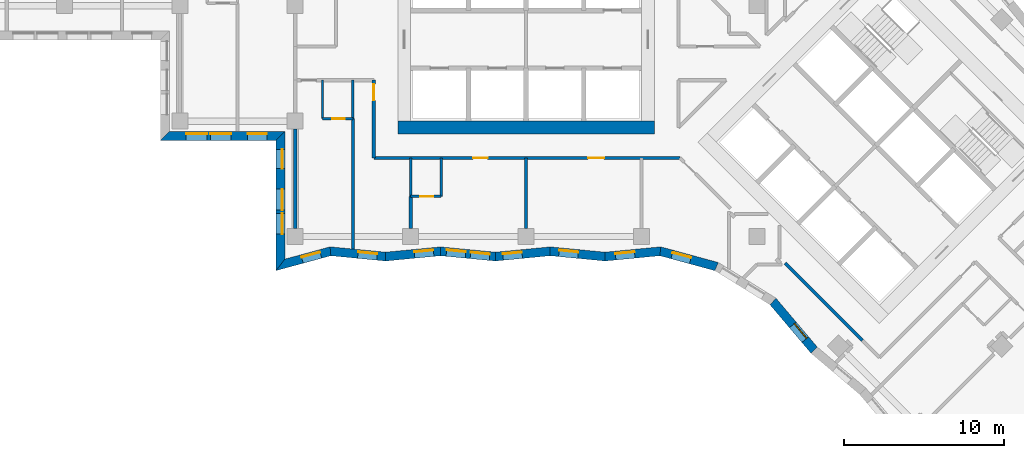
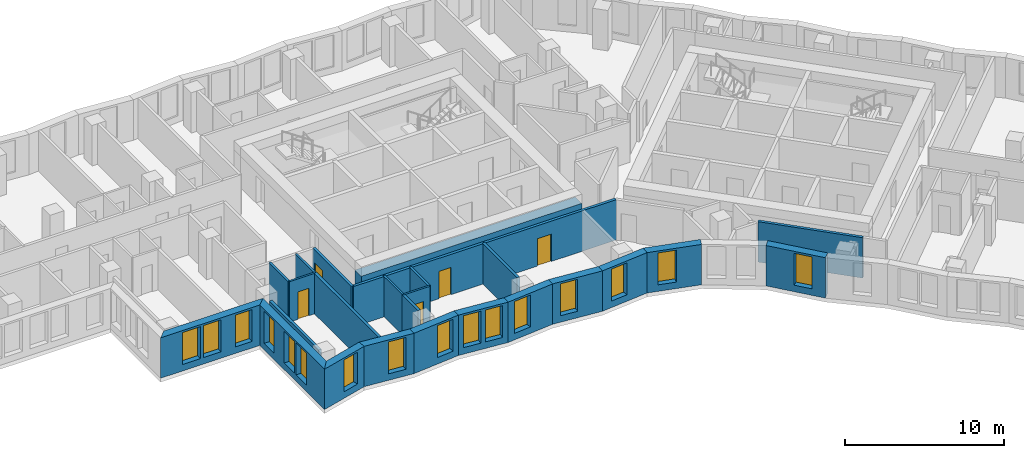
# One storey, part 2 of 12: 25 walls, 16 windows, 5 doors, 21 openings.
"""IFC4 building model written with IfcOpenShell, lengths in metres."""

from ifc_helpers import new_model, si_unit, direction, frame, frame_2d, origin, place, context, subcontext, project, spatial, polyline, rectangle, outline, extrude, material, layer, layer_set, type_object, element, fill, save


model = new_model("IFC4")

# Units and contexts
model_context = context("Model", 3, precision=1e-05, world=origin(), true_north=direction((0.0, 1.0)))
body_context = subcontext(model_context, "Body", "Model", "MODEL_VIEW")
ifc_project = project(units=[si_unit("LENGTHUNIT", "METRE"), si_unit("AREAUNIT", "SQUARE_METRE"), si_unit("VOLUMEUNIT", "CUBIC_METRE"), si_unit("PLANEANGLEUNIT", "RADIAN"), si_unit("MASSUNIT", "GRAM", prefix="KILO")], contexts=[model_context])

# Site, building, storey
site_placement = place(None, origin())
site = spatial("IfcSite", under=ifc_project, at=site_placement, CompositionType="ELEMENT")
building_placement = place(site_placement, origin())
building = spatial("IfcBuilding", under=site, at=building_placement, Name="Windrow Commons", CompositionType="ELEMENT")
storey_placement = place(building_placement, frame((0.0, 0.0, 84.6)))
storey = spatial("IfcBuildingStorey", under=building, at=storey_placement, Name="L22", CompositionType="ELEMENT", Elevation=84.6)

# Wall, openings, windows
ifc_material_1 = material(Name="Brick masonry, red clay brick", Category="masonry")
ifc_layer_1 = layer(ifc_material_1, 0.55)
ifc_layer_set_1 = layer_set([ifc_layer_1], Name="Brick facade wall 550")
wall_type_1 = type_object("IfcWallType", Name="Brick facade wall 550", PredefinedType="SOLIDWALL", material=ifc_layer_set_1)
wall_1_placement = place(storey_placement, frame((42.275, 49.475, 0.0), z_axis=(0.0, 0.0, 1.0), x_axis=(1.0, 0.0, 0.0)))
wall_1 = element("IfcWall", 1, at=wall_1_placement, inside=storey, type_object=wall_type_1, Name="Brick facade wall L22 42", PredefinedType="SOLIDWALL", context=body_context, shape_type="SweptSolid", body=[
    extrude(outline(polyline([(-0.275, -0.275), (6.925, -0.275), (7.475, 0.275), (0.275, 0.275), (-0.275, -0.275)])), origin(), (0.0, 0.0, 1.0), 3.1),
])
opening_1_placement = place(wall_1_placement, frame((1.325, 0.0, 0.5)))
opening_1 = element("IfcOpeningElement", 2, at=opening_1_placement, cuts=wall_1, Name="Opening W1P", PredefinedType="OPENING", context=body_context, shape_type="SweptSolid", body=[
    extrude(rectangle(XDim=1.3, YDim=2.45, at=frame_2d((0.65, 1.225))), frame((0.0, 0.285, 0.0), z_axis=(0.0, -1.0, 0.0), x_axis=(1.0, 0.0, 0.0)), (0.0, 0.0, 1.0), 0.57),
])
opening_2_placement = place(wall_1_placement, frame((2.825, 0.0, 0.5)))
opening_2 = element("IfcOpeningElement", 3, at=opening_2_placement, cuts=wall_1, Name="Opening W1P", PredefinedType="OPENING", context=body_context, shape_type="SweptSolid", body=[
    extrude(rectangle(XDim=1.3, YDim=2.45, at=frame_2d((0.65, 1.225))), frame((0.0, 0.285, 0.0), z_axis=(0.0, -1.0, 0.0), x_axis=(1.0, 0.0, 0.0)), (0.0, 0.0, 1.0), 0.57),
])
opening_3_placement = place(wall_1_placement, frame((5.1625, 0.0, 0.5)))
opening_3 = element("IfcOpeningElement", 4, at=opening_3_placement, cuts=wall_1, Name="Opening W7D", PredefinedType="OPENING", context=body_context, shape_type="SweptSolid", body=[
    extrude(rectangle(XDim=1.2, YDim=2.45, at=frame_2d((0.6, 1.225))), frame((0.0, 0.285, 0.0), z_axis=(0.0, -1.0, 0.0), x_axis=(1.0, 0.0, 0.0)), (0.0, 0.0, 1.0), 0.57),
])
ifc_material_2 = material(Name="Clear float glass in anodised aluminium frame", Category="aluminium")
window_type_1 = type_object("IfcWindowType", Name="Window W1P pair 1300x2450", PartitioningType="SINGLE_PANEL", PredefinedType="WINDOW", material=ifc_material_2)
window_1_placement = place(opening_1_placement, origin())
window_1 = element("IfcWindow", 5, at=window_1_placement, inside=storey, type_object=window_type_1, Name="Window L22 42.1A", OverallHeight=2.45, OverallWidth=1.3, PartitioningType="SINGLE_PANEL", PredefinedType="WINDOW", context=body_context, shape_type="SweptSolid", body=[
    extrude(rectangle(XDim=1.3, YDim=2.45, at=frame_2d((0.65, 1.225))), frame((0.0, 0.155, 0.0), z_axis=(0.0, -1.0, 0.0), x_axis=(1.0, 0.0, 0.0)), (0.0, 0.0, 1.0), 0.06),
])
fill(opening_1, window_1)
window_2_placement = place(opening_2_placement, origin())
window_2 = element("IfcWindow", 6, at=window_2_placement, inside=storey, type_object=window_type_1, Name="Window L22 42.1B", OverallHeight=2.45, OverallWidth=1.3, PartitioningType="SINGLE_PANEL", PredefinedType="WINDOW", context=body_context, shape_type="SweptSolid", body=[
    extrude(rectangle(XDim=1.3, YDim=2.45, at=frame_2d((0.65, 1.225))), frame((0.0, 0.155, 0.0), z_axis=(0.0, -1.0, 0.0), x_axis=(1.0, 0.0, 0.0)), (0.0, 0.0, 1.0), 0.06),
])
fill(opening_2, window_2)
ifc_material_3 = material(Name="Clear float glass in anodised aluminium frame", Category="aluminium")
window_type_2 = type_object("IfcWindowType", Name="Window W7 notch 1200x2450", PartitioningType="SINGLE_PANEL", PredefinedType="WINDOW", material=ifc_material_3)
window_3_placement = place(opening_3_placement, origin())
window_3 = element("IfcWindow", 7, at=window_3_placement, inside=storey, type_object=window_type_2, Name="Window L22 42.2", OverallHeight=2.45, OverallWidth=1.2, PartitioningType="SINGLE_PANEL", PredefinedType="WINDOW", context=body_context, shape_type="SweptSolid", body=[
    extrude(rectangle(XDim=1.2, YDim=2.45, at=frame_2d((0.6, 1.225))), frame((0.0, 0.155, 0.0), z_axis=(0.0, -1.0, 0.0), x_axis=(1.0, 0.0, 0.0)), (0.0, 0.0, 1.0), 0.06),
])
fill(opening_3, window_3)

wall_2_placement = place(storey_placement, frame((49.475, 49.475, 0.0), z_axis=(0.0, 0.0, 1.0), x_axis=(0.0, -1.0, 0.0)))
wall_2 = element("IfcWall", 8, at=wall_2_placement, inside=storey, type_object=wall_type_1, Name="Brick facade wall L22 43", PredefinedType="SOLIDWALL", context=body_context, shape_type="SweptSolid", body=[
    extrude(outline(polyline([(0.275, -0.275), (8.405, -0.275), (7.6855, 0.275), (-0.275, 0.275), (0.275, -0.275)])), origin(), (0.0, 0.0, 1.0), 3.1),
])
opening_4_placement = place(wall_2_placement, frame((3.325, 0.0, 0.5)))
opening_4 = element("IfcOpeningElement", 9, at=opening_4_placement, cuts=wall_2, Name="Opening W1P", PredefinedType="OPENING", context=body_context, shape_type="SweptSolid", body=[
    extrude(rectangle(XDim=1.3, YDim=2.45, at=frame_2d((0.65, 1.225))), frame((0.0, 0.285, 0.0), z_axis=(0.0, -1.0, 0.0), x_axis=(1.0, 0.0, 0.0)), (0.0, 0.0, 1.0), 0.57),
])
opening_5_placement = place(wall_2_placement, frame((4.825, 0.0, 0.5)))
opening_5 = element("IfcOpeningElement", 10, at=opening_5_placement, cuts=wall_2, Name="Opening W1P", PredefinedType="OPENING", context=body_context, shape_type="SweptSolid", body=[
    extrude(rectangle(XDim=1.3, YDim=2.45, at=frame_2d((0.65, 1.225))), frame((0.0, 0.285, 0.0), z_axis=(0.0, -1.0, 0.0), x_axis=(1.0, 0.0, 0.0)), (0.0, 0.0, 1.0), 0.57),
])
opening_6_placement = place(wall_2_placement, frame((0.8375, 0.0, 0.5)))
opening_6 = element("IfcOpeningElement", 11, at=opening_6_placement, cuts=wall_2, Name="Opening W7D", PredefinedType="OPENING", context=body_context, shape_type="SweptSolid", body=[
    extrude(rectangle(XDim=1.2, YDim=2.45, at=frame_2d((0.6, 1.225))), frame((0.0, 0.285, 0.0), z_axis=(0.0, -1.0, 0.0), x_axis=(1.0, 0.0, 0.0)), (0.0, 0.0, 1.0), 0.57),
])
window_4_placement = place(opening_4_placement, origin())
window_4 = element("IfcWindow", 12, at=window_4_placement, inside=storey, type_object=window_type_1, Name="Window L22 43.1A", OverallHeight=2.45, OverallWidth=1.3, PartitioningType="SINGLE_PANEL", PredefinedType="WINDOW", context=body_context, shape_type="SweptSolid", body=[
    extrude(rectangle(XDim=1.3, YDim=2.45, at=frame_2d((0.65, 1.225))), frame((0.0, 0.155, 0.0), z_axis=(0.0, -1.0, 0.0), x_axis=(1.0, 0.0, 0.0)), (0.0, 0.0, 1.0), 0.06),
])
fill(opening_4, window_4)
window_5_placement = place(opening_5_placement, origin())
window_5 = element("IfcWindow", 13, at=window_5_placement, inside=storey, type_object=window_type_1, Name="Window L22 43.1B", OverallHeight=2.45, OverallWidth=1.3, PartitioningType="SINGLE_PANEL", PredefinedType="WINDOW", context=body_context, shape_type="SweptSolid", body=[
    extrude(rectangle(XDim=1.3, YDim=2.45, at=frame_2d((0.65, 1.225))), frame((0.0, 0.155, 0.0), z_axis=(0.0, -1.0, 0.0), x_axis=(1.0, 0.0, 0.0)), (0.0, 0.0, 1.0), 0.06),
])
fill(opening_5, window_5)
window_6_placement = place(opening_6_placement, origin())
window_6 = element("IfcWindow", 14, at=window_6_placement, inside=storey, type_object=window_type_2, Name="Window L22 43.2", OverallHeight=2.45, OverallWidth=1.2, PartitioningType="SINGLE_PANEL", PredefinedType="WINDOW", context=body_context, shape_type="SweptSolid", body=[
    extrude(rectangle(XDim=1.2, YDim=2.45, at=frame_2d((0.6, 1.225))), frame((0.0, 0.155, 0.0), z_axis=(0.0, -1.0, 0.0), x_axis=(1.0, 0.0, 0.0)), (0.0, 0.0, 1.0), 0.06),
])
fill(opening_6, window_6)

# Wall, opening, window
wall_3_placement = place(storey_placement, frame((49.475, 41.4297, 0.0), z_axis=(0.0, 0.0, 1.0), x_axis=(0.9649788617, 0.262327651, 0.0)))
wall_3 = element("IfcWall", 15, at=wall_3_placement, inside=storey, type_object=wall_type_1, Name="Brick facade wall L22 44", PredefinedType="SOLIDWALL", context=body_context, shape_type="SweptSolid", body=[
    extrude(outline(polyline([(-0.3597, -0.275), (3.1858, -0.275), (3.2863, 0.275), (0.3597, 0.275), (-0.3597, -0.275)])), origin(), (0.0, 0.0, 1.0), 3.1),
])
opening_7_placement = place(wall_3_placement, frame((1.3973, 0.0, 0.5)))
opening_7 = element("IfcOpeningElement", 16, at=opening_7_placement, cuts=wall_3, Name="Opening W7D", PredefinedType="OPENING", context=body_context, shape_type="SweptSolid", body=[
    extrude(rectangle(XDim=1.2, YDim=2.45, at=frame_2d((0.6, 1.225))), frame((0.0, 0.285, 0.0), z_axis=(0.0, -1.0, 0.0), x_axis=(1.0, 0.0, 0.0)), (0.0, 0.0, 1.0), 0.57),
])
window_7_placement = place(opening_7_placement, origin())
window_7 = element("IfcWindow", 17, at=window_7_placement, inside=storey, type_object=window_type_2, Name="Window L22 44.1", OverallHeight=2.45, OverallWidth=1.2, PartitioningType="SINGLE_PANEL", PredefinedType="WINDOW", context=body_context, shape_type="SweptSolid", body=[
    extrude(rectangle(XDim=1.2, YDim=2.45, at=frame_2d((0.6, 1.225))), frame((0.0, 0.155, 0.0), z_axis=(0.0, -1.0, 0.0), x_axis=(1.0, 0.0, 0.0)), (0.0, 0.0, 1.0), 0.06),
])
fill(opening_7, window_7)

wall_4_placement = place(storey_placement, frame((52.5977, 42.2786, 0.0), z_axis=(0.0, 0.0, 1.0), x_axis=(0.9953800797, -0.0960130045, 0.0)))
wall_4 = element("IfcWall", 18, at=wall_4_placement, inside=storey, type_object=wall_type_1, Name="Brick facade wall L22 45", PredefinedType="SOLIDWALL", context=body_context, shape_type="SweptSolid", body=[
    extrude(outline(polyline([(0.0503, -0.275), (3.4875, -0.275), (3.4344, 0.275), (-0.0503, 0.275), (0.0503, -0.275)])), origin(), (0.0, 0.0, 1.0), 3.1),
])
opening_8_placement = place(wall_4_placement, frame((1.7216, 0.0, 0.5)))
opening_8 = element("IfcOpeningElement", 19, at=opening_8_placement, cuts=wall_4, Name="Opening W7D", PredefinedType="OPENING", context=body_context, shape_type="SweptSolid", body=[
    extrude(rectangle(XDim=1.2, YDim=2.45, at=frame_2d((0.6, 1.225))), frame((0.0, 0.285, 0.0), z_axis=(0.0, -1.0, 0.0), x_axis=(1.0, 0.0, 0.0)), (0.0, 0.0, 1.0), 0.57),
])
window_8_placement = place(opening_8_placement, origin())
window_8 = element("IfcWindow", 20, at=window_8_placement, inside=storey, type_object=window_type_2, Name="Window L22 45.1", OverallHeight=2.45, OverallWidth=1.2, PartitioningType="SINGLE_PANEL", PredefinedType="WINDOW", context=body_context, shape_type="SweptSolid", body=[
    extrude(rectangle(XDim=1.2, YDim=2.45, at=frame_2d((0.6, 1.225))), frame((0.0, 0.155, 0.0), z_axis=(0.0, -1.0, 0.0), x_axis=(1.0, 0.0, 0.0)), (0.0, 0.0, 1.0), 0.06),
])
fill(opening_8, window_8)

wall_5_placement = place(storey_placement, frame((56.0427, 41.9463, 0.0), z_axis=(0.0, 0.0, 1.0), x_axis=(0.995380467, 0.096008989, 0.0)))
wall_5 = element("IfcWall", 21, at=wall_5_placement, inside=storey, type_object=wall_type_1, Name="Brick facade wall L22 46", PredefinedType="SOLIDWALL", context=body_context, shape_type="SweptSolid", body=[
    extrude(outline(polyline([(-0.0265, -0.275), (3.4107, -0.275), (3.4637, 0.275), (0.0265, 0.275), (-0.0265, -0.275)])), origin(), (0.0, 0.0, 1.0), 3.1),
])
opening_9_placement = place(wall_5_placement, frame((1.8009, 0.0, 0.5)))
opening_9 = element("IfcOpeningElement", 22, at=opening_9_placement, cuts=wall_5, Name="Opening W7D", PredefinedType="OPENING", context=body_context, shape_type="SweptSolid", body=[
    extrude(rectangle(XDim=1.2, YDim=2.45, at=frame_2d((0.6, 1.225))), frame((0.0, 0.285, 0.0), z_axis=(0.0, -1.0, 0.0), x_axis=(1.0, 0.0, 0.0)), (0.0, 0.0, 1.0), 0.57),
])
window_9_placement = place(opening_9_placement, origin())
window_9 = element("IfcWindow", 23, at=window_9_placement, inside=storey, type_object=window_type_2, Name="Window L22 46.1", OverallHeight=2.45, OverallWidth=1.2, PartitioningType="SINGLE_PANEL", PredefinedType="WINDOW", context=body_context, shape_type="SweptSolid", body=[
    extrude(rectangle(XDim=1.2, YDim=2.45, at=frame_2d((0.6, 1.225))), frame((0.0, 0.155, 0.0), z_axis=(0.0, -1.0, 0.0), x_axis=(1.0, 0.0, 0.0)), (0.0, 0.0, 1.0), 0.06),
])
fill(opening_9, window_9)

# Wall, openings, windows
wall_6_placement = place(storey_placement, frame((59.464, 42.2763, 0.0), z_axis=(0.0, 0.0, 1.0), x_axis=(0.995380467, -0.096008989, 0.0)))
wall_6 = element("IfcWall", 24, at=wall_6_placement, inside=storey, type_object=wall_type_1, Name="Brick facade wall L22 47", PredefinedType="SOLIDWALL", context=body_context, shape_type="SweptSolid", body=[
    extrude(outline(polyline([(0.0265, -0.275), (3.4637, -0.275), (3.4107, 0.275), (-0.0265, 0.275), (0.0265, -0.275)])), origin(), (0.0, 0.0, 1.0), 3.1),
])
opening_10_placement = place(wall_6_placement, frame((0.372, 0.0, 0.5)))
opening_10 = element("IfcOpeningElement", 25, at=opening_10_placement, cuts=wall_6, Name="Opening W7D", PredefinedType="OPENING", context=body_context, shape_type="SweptSolid", body=[
    extrude(rectangle(XDim=1.2, YDim=2.45, at=frame_2d((0.6, 1.225))), frame((0.0, 0.285, 0.0), z_axis=(0.0, -1.0, 0.0), x_axis=(1.0, 0.0, 0.0)), (0.0, 0.0, 1.0), 0.57),
])
opening_11_placement = place(wall_6_placement, frame((1.8774, 0.0, 0.5)))
opening_11 = element("IfcOpeningElement", 26, at=opening_11_placement, cuts=wall_6, Name="Opening W7D", PredefinedType="OPENING", context=body_context, shape_type="SweptSolid", body=[
    extrude(rectangle(XDim=1.2, YDim=2.45, at=frame_2d((0.6, 1.225))), frame((0.0, 0.285, 0.0), z_axis=(0.0, -1.0, 0.0), x_axis=(1.0, 0.0, 0.0)), (0.0, 0.0, 1.0), 0.57),
])
window_10_placement = place(opening_10_placement, origin())
window_10 = element("IfcWindow", 27, at=window_10_placement, inside=storey, type_object=window_type_2, Name="Window L22 47.1", OverallHeight=2.45, OverallWidth=1.2, PartitioningType="SINGLE_PANEL", PredefinedType="WINDOW", context=body_context, shape_type="SweptSolid", body=[
    extrude(rectangle(XDim=1.2, YDim=2.45, at=frame_2d((0.6, 1.225))), frame((0.0, 0.155, 0.0), z_axis=(0.0, -1.0, 0.0), x_axis=(1.0, 0.0, 0.0)), (0.0, 0.0, 1.0), 0.06),
])
fill(opening_10, window_10)
window_11_placement = place(opening_11_placement, origin())
window_11 = element("IfcWindow", 28, at=window_11_placement, inside=storey, type_object=window_type_2, Name="Window L22 47.2", OverallHeight=2.45, OverallWidth=1.2, PartitioningType="SINGLE_PANEL", PredefinedType="WINDOW", context=body_context, shape_type="SweptSolid", body=[
    extrude(rectangle(XDim=1.2, YDim=2.45, at=frame_2d((0.6, 1.225))), frame((0.0, 0.155, 0.0), z_axis=(0.0, -1.0, 0.0), x_axis=(1.0, 0.0, 0.0)), (0.0, 0.0, 1.0), 0.06),
])
fill(opening_11, window_11)

# Wall, opening, window
wall_7_placement = place(storey_placement, frame((62.8853, 41.9463, 0.0), z_axis=(0.0, 0.0, 1.0), x_axis=(0.9953807351, 0.0960062087, 0.0)))
wall_7 = element("IfcWall", 29, at=wall_7_placement, inside=storey, type_object=wall_type_1, Name="Brick facade wall L22 48", PredefinedType="SOLIDWALL", context=body_context, shape_type="SweptSolid", body=[
    extrude(outline(polyline([(-0.0265, -0.275), (3.4107, -0.275), (3.4637, 0.275), (0.0265, 0.275), (-0.0265, -0.275)])), origin(), (0.0, 0.0, 1.0), 3.1),
])
opening_12_placement = place(wall_7_placement, frame((0.475, 0.0, 0.5)))
opening_12 = element("IfcOpeningElement", 30, at=opening_12_placement, cuts=wall_7, Name="Opening W7D", PredefinedType="OPENING", context=body_context, shape_type="SweptSolid", body=[
    extrude(rectangle(XDim=1.2, YDim=2.45, at=frame_2d((0.6, 1.225))), frame((0.0, 0.285, 0.0), z_axis=(0.0, -1.0, 0.0), x_axis=(1.0, 0.0, 0.0)), (0.0, 0.0, 1.0), 0.57),
])
window_12_placement = place(opening_12_placement, origin())
window_12 = element("IfcWindow", 31, at=window_12_placement, inside=storey, type_object=window_type_2, Name="Window L22 48.1", OverallHeight=2.45, OverallWidth=1.2, PartitioningType="SINGLE_PANEL", PredefinedType="WINDOW", context=body_context, shape_type="SweptSolid", body=[
    extrude(rectangle(XDim=1.2, YDim=2.45, at=frame_2d((0.6, 1.225))), frame((0.0, 0.155, 0.0), z_axis=(0.0, -1.0, 0.0), x_axis=(1.0, 0.0, 0.0)), (0.0, 0.0, 1.0), 0.06),
])
fill(opening_12, window_12)

wall_8_placement = place(storey_placement, frame((66.3067, 42.2763, 0.0), z_axis=(0.0, 0.0, 1.0), x_axis=(0.995380467, -0.096008989, 0.0)))
wall_8 = element("IfcWall", 32, at=wall_8_placement, inside=storey, type_object=wall_type_1, Name="Brick facade wall L22 49", PredefinedType="SOLIDWALL", context=body_context, shape_type="SweptSolid", body=[
    extrude(outline(polyline([(0.0265, -0.275), (3.4637, -0.275), (3.4107, 0.275), (-0.0265, 0.275), (0.0265, -0.275)])), origin(), (0.0, 0.0, 1.0), 3.1),
])
opening_13_placement = place(wall_8_placement, frame((0.5515, 0.0, 0.5)))
opening_13 = element("IfcOpeningElement", 33, at=opening_13_placement, cuts=wall_8, Name="Opening W7D", PredefinedType="OPENING", context=body_context, shape_type="SweptSolid", body=[
    extrude(rectangle(XDim=1.2, YDim=2.45, at=frame_2d((0.6, 1.225))), frame((0.0, 0.285, 0.0), z_axis=(0.0, -1.0, 0.0), x_axis=(1.0, 0.0, 0.0)), (0.0, 0.0, 1.0), 0.57),
])
window_13_placement = place(opening_13_placement, origin())
window_13 = element("IfcWindow", 34, at=window_13_placement, inside=storey, type_object=window_type_2, Name="Window L22 49.1", OverallHeight=2.45, OverallWidth=1.2, PartitioningType="SINGLE_PANEL", PredefinedType="WINDOW", context=body_context, shape_type="SweptSolid", body=[
    extrude(rectangle(XDim=1.2, YDim=2.45, at=frame_2d((0.6, 1.225))), frame((0.0, 0.155, 0.0), z_axis=(0.0, -1.0, 0.0), x_axis=(1.0, 0.0, 0.0)), (0.0, 0.0, 1.0), 0.06),
])
fill(opening_13, window_13)

wall_9_placement = place(storey_placement, frame((69.728, 41.9463, 0.0), z_axis=(0.0, 0.0, 1.0), x_axis=(0.9953800797, 0.0960130045, 0.0)))
wall_9 = element("IfcWall", 35, at=wall_9_placement, inside=storey, type_object=wall_type_1, Name="Brick facade wall L22 50", PredefinedType="SOLIDWALL", context=body_context, shape_type="SweptSolid", body=[
    extrude(outline(polyline([(-0.0265, -0.275), (3.4107, -0.275), (3.5112, 0.275), (0.0265, 0.275), (-0.0265, -0.275)])), origin(), (0.0, 0.0, 1.0), 3.1),
])
opening_14_placement = place(wall_9_placement, frame((0.6545, 0.0, 0.5)))
opening_14 = element("IfcOpeningElement", 36, at=opening_14_placement, cuts=wall_9, Name="Opening W7D", PredefinedType="OPENING", context=body_context, shape_type="SweptSolid", body=[
    extrude(rectangle(XDim=1.2, YDim=2.45, at=frame_2d((0.6, 1.225))), frame((0.0, 0.285, 0.0), z_axis=(0.0, -1.0, 0.0), x_axis=(1.0, 0.0, 0.0)), (0.0, 0.0, 1.0), 0.57),
])
window_14_placement = place(opening_14_placement, origin())
window_14 = element("IfcWindow", 37, at=window_14_placement, inside=storey, type_object=window_type_2, Name="Window L22 50.1", OverallHeight=2.45, OverallWidth=1.2, PartitioningType="SINGLE_PANEL", PredefinedType="WINDOW", context=body_context, shape_type="SweptSolid", body=[
    extrude(rectangle(XDim=1.2, YDim=2.45, at=frame_2d((0.6, 1.225))), frame((0.0, 0.155, 0.0), z_axis=(0.0, -1.0, 0.0), x_axis=(1.0, 0.0, 0.0)), (0.0, 0.0, 1.0), 0.06),
])
fill(opening_14, window_14)

wall_10_placement = place(storey_placement, frame((73.173, 42.2786, 0.0), z_axis=(0.0, 0.0, 1.0), x_axis=(0.9649824686, -0.2623143827, 0.0)))
wall_10 = element("IfcWall", 38, at=wall_10_placement, inside=storey, type_object=wall_type_1, Name="Brick facade wall L22 51", PredefinedType="SOLIDWALL", context=body_context, shape_type="SweptSolid", body=[
    extrude(outline(polyline([(0.0503, -0.275), (3.5957, -0.275), (3.6757, 0.275), (-0.0503, 0.275), (0.0503, -0.275)])), origin(), (0.0, 0.0, 1.0), 3.1),
])
opening_15_placement = place(wall_10_placement, frame((0.7575, 0.0, 0.5)))
opening_15 = element("IfcOpeningElement", 39, at=opening_15_placement, cuts=wall_10, Name="Opening W7D", PredefinedType="OPENING", context=body_context, shape_type="SweptSolid", body=[
    extrude(rectangle(XDim=1.2, YDim=2.45, at=frame_2d((0.6, 1.225))), frame((0.0, 0.285, 0.0), z_axis=(0.0, -1.0, 0.0), x_axis=(1.0, 0.0, 0.0)), (0.0, 0.0, 1.0), 0.57),
])
window_15_placement = place(opening_15_placement, origin())
window_15 = element("IfcWindow", 40, at=window_15_placement, inside=storey, type_object=window_type_2, Name="Window L22 51.1", OverallHeight=2.45, OverallWidth=1.2, PartitioningType="SINGLE_PANEL", PredefinedType="WINDOW", context=body_context, shape_type="SweptSolid", body=[
    extrude(rectangle(XDim=1.2, YDim=2.45, at=frame_2d((0.6, 1.225))), frame((0.0, 0.155, 0.0), z_axis=(0.0, -1.0, 0.0), x_axis=(1.0, 0.0, 0.0)), (0.0, 0.0, 1.0), 0.06),
])
fill(opening_15, window_15)

wall_11_placement = place(storey_placement, frame((80.2021, 39.1465, 0.0), z_axis=(0.0, 0.0, 1.0), x_axis=(0.6457632753, -0.7635376823, 0.0)))
wall_11 = element("IfcWall", 41, at=wall_11_placement, inside=storey, type_object=wall_type_1, Name="Brick facade wall L22 53", PredefinedType="SOLIDWALL", context=body_context, shape_type="SweptSolid", body=[
    extrude(outline(polyline([(0.0436, -0.275), (4.0059, -0.275), (3.96, 0.275), (-0.0436, 0.275), (0.0436, -0.275)])), origin(), (0.0, 0.0, 1.0), 3.1),
])
opening_16_placement = place(wall_11_placement, frame((1.9124, 0.0, 0.5)))
opening_16 = element("IfcOpeningElement", 42, at=opening_16_placement, cuts=wall_11, Name="Opening W7D", PredefinedType="OPENING", context=body_context, shape_type="SweptSolid", body=[
    extrude(rectangle(XDim=1.2, YDim=2.45, at=frame_2d((0.6, 1.225))), frame((0.0, 0.285, 0.0), z_axis=(0.0, -1.0, 0.0), x_axis=(1.0, 0.0, 0.0)), (0.0, 0.0, 1.0), 0.57),
])
window_16_placement = place(opening_16_placement, origin())
window_16 = element("IfcWindow", 43, at=window_16_placement, inside=storey, type_object=window_type_2, Name="Window L22 53.1", OverallHeight=2.45, OverallWidth=1.2, PartitioningType="SINGLE_PANEL", PredefinedType="WINDOW", context=body_context, shape_type="SweptSolid", body=[
    extrude(rectangle(XDim=1.2, YDim=2.45, at=frame_2d((0.6, 1.225))), frame((0.0, 0.155, 0.0), z_axis=(0.0, -1.0, 0.0), x_axis=(1.0, 0.0, 0.0)), (0.0, 0.0, 1.0), 0.06),
])
fill(opening_16, window_16)

# Wall, openings, doors
ifc_material_4 = material(Name="Blockwork partition", Category="masonry")
ifc_layer_2 = layer(ifc_material_4, 0.2)
ifc_layer_set_2 = layer_set([ifc_layer_2], Name="IW-CORRIDOR-200")
wall_type_2 = type_object("IfcWallType", Name="IW-CORRIDOR-200", PredefinedType="PARTITIONING", material=ifc_layer_set_2)
wall_12_placement = place(storey_placement, frame((55.3, 48.1, 0.0), z_axis=(0.0, 0.0, 1.0), x_axis=(1.0, 0.0, 0.0)))
wall_12 = element("IfcWall", 44, at=wall_12_placement, inside=storey, type_object=wall_type_2, Name="W-L22-W002", PredefinedType="PARTITIONING", context=body_context, shape_type="SweptSolid", body=[
    extrude(rectangle(XDim=19.092, YDim=0.2, at=frame_2d((9.546, 0.0))), origin(), (0.0, 0.0, 1.0), 3.1),
])
opening_17_placement = place(wall_12_placement, frame((6.1994, 0.0, 0.0)))
opening_17 = element("IfcOpeningElement", 45, at=opening_17_placement, cuts=wall_12, Name="Opening D109F", PredefinedType="OPENING", context=body_context, shape_type="SweptSolid", body=[
    extrude(rectangle(XDim=0.9, YDim=2.1, at=frame_2d((0.45, 1.05))), frame((0.0, 0.11, 0.0), z_axis=(0.0, -1.0, 0.0), x_axis=(1.0, 0.0, 0.0)), (0.0, 0.0, 1.0), 0.22),
])
opening_18_placement = place(wall_12_placement, frame((13.3625, 0.0, 0.0)))
opening_18 = element("IfcOpeningElement", 46, at=opening_18_placement, cuts=wall_12, Name="Opening D310F", PredefinedType="OPENING", context=body_context, shape_type="SweptSolid", body=[
    extrude(rectangle(XDim=1.0, YDim=2.1, at=frame_2d((0.5, 1.05))), frame((0.0, 0.11, 0.0), z_axis=(0.0, -1.0, 0.0), x_axis=(1.0, 0.0, 0.0)), (0.0, 0.0, 1.0), 0.22),
])
ifc_material_5 = material(Name="Timber door leaf", Category="wood")
door_type_1 = type_object("IfcDoorType", Name="DT-AMENITY-1000", OperationType="SINGLE_SWING_LEFT", PredefinedType="DOOR", material=ifc_material_5)
door_1_placement = place(opening_18_placement, origin())
door_1 = element("IfcDoor", 47, at=door_1_placement, inside=storey, type_object=door_type_1, Name="D-L22-D036", OperationType="SINGLE_SWING_LEFT", OverallHeight=2.1, OverallWidth=1.0, PredefinedType="DOOR", context=body_context, shape_type="SweptSolid", body=[
    extrude(rectangle(XDim=1.0, YDim=2.1, at=frame_2d((0.5, 1.05))), frame((0.0, 0.025, 0.0), z_axis=(0.0, -1.0, 0.0), x_axis=(1.0, 0.0, 0.0)), (0.0, 0.0, 1.0), 0.05),
])
fill(opening_18, door_1)
ifc_material_6 = material(Name="Timber door leaf", Category="wood")
door_type_2 = type_object("IfcDoorType", Name="DT-BEDROOM-900", OperationType="SINGLE_SWING_LEFT", PredefinedType="DOOR", material=ifc_material_6)
door_2_placement = place(opening_17_placement, origin())
door_2 = element("IfcDoor", 48, at=door_2_placement, inside=storey, type_object=door_type_2, Name="D-L22-D034", OperationType="SINGLE_SWING_LEFT", OverallHeight=2.1, OverallWidth=0.9, PredefinedType="DOOR", context=body_context, shape_type="SweptSolid", body=[
    extrude(rectangle(XDim=0.9, YDim=2.1, at=frame_2d((0.45, 1.05))), frame((0.0, 0.025, 0.0), z_axis=(0.0, -1.0, 0.0), x_axis=(1.0, 0.0, 0.0)), (0.0, 0.0, 1.0), 0.05),
])
fill(opening_17, door_2)

# Wall
wall_13_placement = place(storey_placement, frame((80.9485, 41.5365, 0.0), z_axis=(0.0, 0.0, 1.0), x_axis=(0.7071067812, -0.7071067812, 0.0)))
element("IfcWall", 49, at=wall_13_placement, inside=storey, type_object=wall_type_2, Name="W-L22-W022", PredefinedType="PARTITIONING", context=body_context, shape_type="SweptSolid", body=[
    extrude(rectangle(XDim=6.8222, YDim=0.2, at=frame_2d((3.4111, 0.0))), origin(), (0.0, 0.0, 1.0), 3.1),
])

# Wall, opening, door
wall_14_placement = place(storey_placement, frame((55.3, 48.1, 0.0), z_axis=(0.0, 0.0, 1.0), x_axis=(0.0, 1.0, 0.0)))
wall_14 = element("IfcWall", 50, at=wall_14_placement, inside=storey, type_object=wall_type_2, Name="W-L22-W040", PredefinedType="PARTITIONING", context=body_context, shape_type="SweptSolid", body=[
    extrude(rectangle(XDim=4.85, YDim=0.2, at=frame_2d((2.425, 0.0))), origin(), (0.0, 0.0, 1.0), 3.1),
])
opening_19_placement = place(wall_14_placement, frame((3.599, 0.0, 0.0)))
opening_19 = element("IfcOpeningElement", 51, at=opening_19_placement, cuts=wall_14, Name="Opening D310F", PredefinedType="OPENING", context=body_context, shape_type="SweptSolid", body=[
    extrude(rectangle(XDim=1.0, YDim=2.1, at=frame_2d((0.5, 1.05))), frame((0.0, 0.11, 0.0), z_axis=(0.0, -1.0, 0.0), x_axis=(1.0, 0.0, 0.0)), (0.0, 0.0, 1.0), 0.22),
])
door_3_placement = place(opening_19_placement, origin())
door_3 = element("IfcDoor", 52, at=door_3_placement, inside=storey, type_object=door_type_1, Name="D-L22-D033", OperationType="SINGLE_SWING_RIGHT", OverallHeight=2.1, OverallWidth=1.0, PredefinedType="DOOR", context=body_context, shape_type="SweptSolid", body=[
    extrude(rectangle(XDim=1.0, YDim=2.1, at=frame_2d((0.5, 1.05))), frame((0.0, 0.025, 0.0), z_axis=(0.0, -1.0, 0.0), x_axis=(1.0, 0.0, 0.0)), (0.0, 0.0, 1.0), 0.05),
])
fill(opening_19, door_3)

# Walls
ifc_material_7 = material(Name="Blockwork partition", Category="masonry")
ifc_layer_3 = layer(ifc_material_7, 0.15)
ifc_layer_set_3 = layer_set([ifc_layer_3], Name="IW-ENSUITE-150")
wall_type_3 = type_object("IfcWallType", Name="IW-ENSUITE-150", PredefinedType="PARTITIONING", material=ifc_layer_set_3)
for number, where, z_axis, x_axis, name in (
    (53, (52.1, 50.55, 0.0), (0.0, 0.0, 1.0), (0.0, 1.0, 0.0), "W-L22-W079"),
    (54, (54.0, 50.55, 0.0), (0.0, 0.0, 1.0), (0.0, 1.0, 0.0), "W-L22-W081"),
    (55, (59.5, 45.7, 0.0), (0.0, 0.0, 1.0), (0.0, 1.0, 0.0), "W-L22-W089"),
    (56, (57.6, 45.7, 0.0), (0.0, 0.0, 1.0), (0.0, 1.0, 0.0), "W-L22-W090"),
):
    element("IfcWall", number, at=place(storey_placement, frame(where, z_axis=z_axis, x_axis=x_axis)), inside=storey, type_object=wall_type_3, Name=name, PredefinedType="PARTITIONING", context=body_context, shape_type="SweptSolid", body=[
        extrude(rectangle(XDim=2.4, YDim=0.15, at=frame_2d((1.2, 0.0))), origin(), (0.0, 0.0, 1.0), 3.1),
    ])

# Wall, opening, door
wall_15_placement = place(storey_placement, frame((52.1, 50.55, 0.0), z_axis=(0.0, 0.0, 1.0), x_axis=(1.0, 0.0, 0.0)))
wall_15 = element("IfcWall", 57, at=wall_15_placement, inside=storey, type_object=wall_type_3, Name="W-L22-W129", PredefinedType="PARTITIONING", context=body_context, shape_type="SweptSolid", body=[
    extrude(rectangle(XDim=1.9, YDim=0.15, at=frame_2d((0.95, 0.0))), origin(), (0.0, 0.0, 1.0), 3.1),
])
opening_20_placement = place(wall_15_placement, frame((0.5979, 0.0, 0.0)))
opening_20 = element("IfcOpeningElement", 58, at=opening_20_placement, cuts=wall_15, Name="Opening D208N", PredefinedType="OPENING", context=body_context, shape_type="SweptSolid", body=[
    extrude(rectangle(XDim=0.8, YDim=2.1, at=frame_2d((0.4, 1.05))), frame((0.0, 0.085, 0.0), z_axis=(0.0, -1.0, 0.0), x_axis=(1.0, 0.0, 0.0)), (0.0, 0.0, 1.0), 0.17),
])
ifc_material_8 = material(Name="Timber door leaf", Category="wood")
door_type_3 = type_object("IfcDoorType", Name="DT-ENSUITE-800", OperationType="SINGLE_SWING_LEFT", PredefinedType="DOOR", material=ifc_material_8)
door_4_placement = place(opening_20_placement, origin())
door_4 = element("IfcDoor", 59, at=door_4_placement, inside=storey, type_object=door_type_3, Name="D-L22-D032", OperationType="SINGLE_SWING_RIGHT", OverallHeight=2.1, OverallWidth=0.8, PredefinedType="DOOR", context=body_context, shape_type="SweptSolid", body=[
    extrude(rectangle(XDim=0.8, YDim=2.1, at=frame_2d((0.4, 1.05))), frame((0.0, 0.025, 0.0), z_axis=(0.0, -1.0, 0.0), x_axis=(1.0, 0.0, 0.0)), (0.0, 0.0, 1.0), 0.05),
])
fill(opening_20, door_4)

wall_16_placement = place(storey_placement, frame((57.6, 45.7, 0.0), z_axis=(0.0, 0.0, 1.0), x_axis=(1.0, 0.0, 0.0)))
wall_16 = element("IfcWall", 60, at=wall_16_placement, inside=storey, type_object=wall_type_3, Name="W-L22-W130", PredefinedType="PARTITIONING", context=body_context, shape_type="SweptSolid", body=[
    extrude(rectangle(XDim=1.9, YDim=0.15, at=frame_2d((0.95, 0.0))), origin(), (0.0, 0.0, 1.0), 3.1),
])
opening_21_placement = place(wall_16_placement, frame((0.6069, 0.0, 0.0)))
opening_21 = element("IfcOpeningElement", 61, at=opening_21_placement, cuts=wall_16, Name="Opening D208N", PredefinedType="OPENING", context=body_context, shape_type="SweptSolid", body=[
    extrude(rectangle(XDim=0.8, YDim=2.1, at=frame_2d((0.4, 1.05))), frame((0.0, 0.085, 0.0), z_axis=(0.0, -1.0, 0.0), x_axis=(1.0, 0.0, 0.0)), (0.0, 0.0, 1.0), 0.17),
])
door_5_placement = place(opening_21_placement, origin())
door_5 = element("IfcDoor", 62, at=door_5_placement, inside=storey, type_object=door_type_3, Name="D-L22-D035", OperationType="SINGLE_SWING_RIGHT", OverallHeight=2.1, OverallWidth=0.8, PredefinedType="DOOR", context=body_context, shape_type="SweptSolid", body=[
    extrude(rectangle(XDim=0.8, YDim=2.1, at=frame_2d((0.4, 1.05))), frame((0.0, 0.025, 0.0), z_axis=(0.0, -1.0, 0.0), x_axis=(1.0, 0.0, 0.0)), (0.0, 0.0, 1.0), 0.05),
])
fill(opening_21, door_5)

# Walls
ifc_material_9 = material(Name="Blockwork partition", Category="masonry")
ifc_layer_4 = layer(ifc_material_9, 0.2)
ifc_layer_set_4 = layer_set([ifc_layer_4], Name="IW-PARTY-200")
wall_type_4 = type_object("IfcWallType", Name="IW-PARTY-200", PredefinedType="PARTITIONING", material=ifc_layer_set_4)
wall_17_placement = place(storey_placement, frame((54.0, 42.4196, 0.0), z_axis=(0.0, 0.0, 1.0), x_axis=(0.0, 1.0, 0.0)))
element("IfcWall", 63, at=wall_17_placement, inside=storey, type_object=wall_type_4, Name="W-L22-W013", PredefinedType="PARTITIONING", context=body_context, shape_type="SweptSolid", body=[
    extrude(rectangle(XDim=8.1304, YDim=0.2, at=frame_2d((4.0652, 0.0))), origin(), (0.0, 0.0, 1.0), 3.1),
])
wall_18_placement = place(storey_placement, frame((50.4, 43.7, 0.0), z_axis=(0.0, 0.0, 1.0), x_axis=(0.0, 1.0, 0.0)))
element("IfcWall", 64, at=wall_18_placement, inside=storey, type_object=wall_type_4, Name="W-L22-W028", PredefinedType="PARTITIONING", context=body_context, shape_type="SweptSolid", body=[
    extrude(rectangle(XDim=6.2, YDim=0.2, at=frame_2d((3.1, 0.0))), origin(), (0.0, 0.0, 1.0), 2.6),
])
wall_19_placement = place(storey_placement, frame((64.8, 43.7, 0.0), z_axis=(0.0, 0.0, 1.0), x_axis=(0.0, 1.0, 0.0)))
element("IfcWall", 65, at=wall_19_placement, inside=storey, type_object=wall_type_4, Name="W-L22-W047", PredefinedType="PARTITIONING", context=body_context, shape_type="SweptSolid", body=[
    extrude(rectangle(XDim=4.4, YDim=0.2, at=frame_2d((2.2, 0.0))), origin(), (0.0, 0.0, 1.0), 3.1),
])
wall_20_placement = place(storey_placement, frame((57.6, 43.7, 0.0), z_axis=(0.0, 0.0, 1.0), x_axis=(0.0, 1.0, 0.0)))
element("IfcWall", 66, at=wall_20_placement, inside=storey, type_object=wall_type_4, Name="W-L22-W119", PredefinedType="PARTITIONING", context=body_context, shape_type="SweptSolid", body=[
    extrude(rectangle(XDim=2.0, YDim=0.2, at=frame_2d((1.0, 0.0))), origin(), (0.0, 0.0, 1.0), 3.1),
])
ifc_material_10 = material(Name="Concrete C50/60", Category="concrete")
ifc_layer_5 = layer(ifc_material_10, 0.8)
ifc_layer_set_5 = layer_set([ifc_layer_5], Name="RC CORE WALL 800 C50/60")
wall_type_5 = type_object("IfcWallType", Name="RC CORE WALL 800 C50/60", PredefinedType="SHEAR", material=ifc_layer_set_5)
wall_21_placement = place(storey_placement, frame((56.8, 50.0, -0.3), z_axis=(0.0, 0.0, 1.0), x_axis=(1.0, 0.0, 0.0)))
element("IfcWall", 67, at=wall_21_placement, inside=storey, type_object=wall_type_5, Name="Core A wall outer-S", PredefinedType="SHEAR", context=body_context, shape_type="SweptSolid", body=[
    extrude(rectangle(XDim=16.0, YDim=0.8, at=frame_2d((8.0, 0.0))), origin(), (0.0, 0.0, 1.0), 2.7),
])

save(model, "model.ifc")
